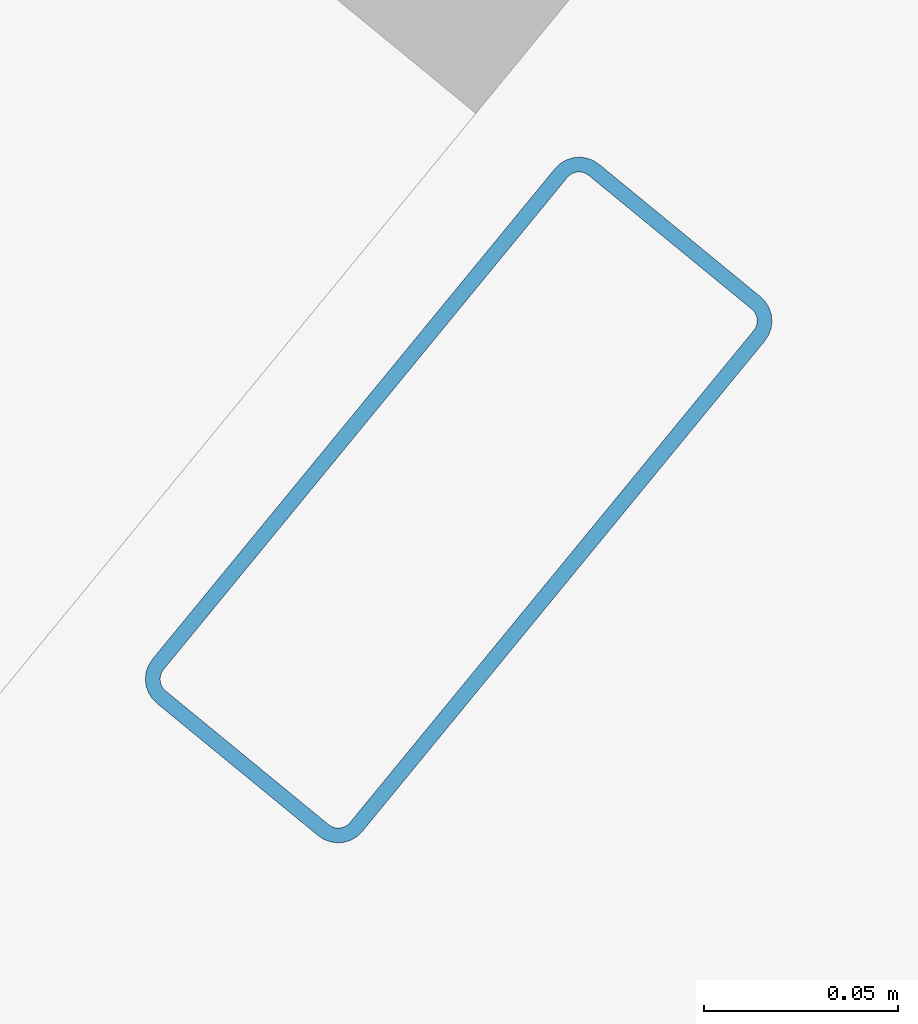
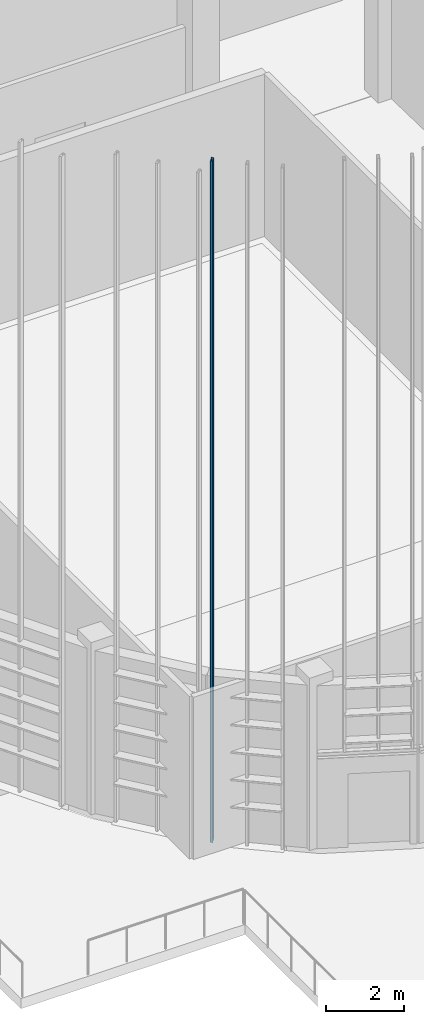
# One storey, part 181 of 372: 1 member.
"""IFC4 building model written with IfcOpenShell, lengths in metres."""

import ifcopenshell
import ifcopenshell.guid

model = None  # the IFC model being written
_history = None  # IfcOwnerHistory: only IFC2X3 demands one
_inside = {}  # id of a spatial element -> (the spatial element, [elements in it])
_under = {}  # id of a project, library or spatial element -> (it, [spatial elements below it])
_declared = {}  # id of a project -> (the project, [libraries it declares])
_typed = {}  # id of a type object -> (the type object, [elements of that type])
_made_of = {}  # id of a material, layer set ... -> (it, [elements and type objects made of it])


def new_model(schema):
    """Start an empty IFC model of exactly this schema.

    Asked for "IFC4X3", IfcOpenShell would pick the latest addendum, in which some entities
    have other attributes; the version numbers below select the first issue.
    IFC2X3 requires an IfcOwnerHistory on every rooted entity: one is made here for all.
    """
    global model, _history
    if schema == "IFC4X3":
        model = ifcopenshell.file(schema_version=(4, 3, 0, 0))
    else:
        model = ifcopenshell.file(schema=schema)
    _inside.clear()
    _under.clear()
    _declared.clear()
    _typed.clear()
    _made_of.clear()
    _history = None
    if model.schema == "IFC2X3":
        org = make("IfcOrganization", Name="unknown")
        user = make(
            "IfcPersonAndOrganization",
            ThePerson=make("IfcPerson", FamilyName="unknown"),
            TheOrganization=org,
        )
        app = make(
            "IfcApplication",
            ApplicationDeveloper=org,
            Version="unknown",
            ApplicationFullName="unknown",
            ApplicationIdentifier="unknown",
        )
        _history = make(
            "IfcOwnerHistory",
            OwningUser=user,
            OwningApplication=app,
            ChangeAction="ADDED",
            CreationDate=0,
        )
    return model


def make(cls, **values):
    """One entity of the class cls with the attributes given. An attribute that is None is left unset."""
    return model.create_entity(
        cls, **{name: value for name, value in values.items() if value is not None}
    )


def rooted(cls, **values):
    """An entity with a GlobalId (a new one), such as an element, a storey or a relation."""
    return make(cls, GlobalId=ifcopenshell.guid.new(), OwnerHistory=_history, **values)


def si_unit(unit_type, name, prefix=None):
    """IfcSIUnit, for example si_unit("LENGTHUNIT", "METRE", prefix="MILLI")."""
    return make("IfcSIUnit", UnitType=unit_type, Prefix=prefix, Name=name)


def assignment(units):
    """IfcUnitAssignment: the units of a project."""
    return None if units is None else make("IfcUnitAssignment", Units=units)


def point(xyz):
    """IfcCartesianPoint."""
    return None if xyz is None else make("IfcCartesianPoint", Coordinates=xyz)


def direction(xyz):
    """IfcDirection."""
    return None if xyz is None else make("IfcDirection", DirectionRatios=xyz)


def frame(location, z_axis=None, x_axis=None):
    """IfcAxis2Placement3D, a coordinate frame: its origin and axes. An axis left out is left unset."""
    return make(
        "IfcAxis2Placement3D",
        Location=point(location),
        Axis=direction(z_axis),
        RefDirection=direction(x_axis),
    )


def frame_2d(location, x_axis=None):
    """IfcAxis2Placement2D, a coordinate frame in the plane: its origin and x axis."""
    return make(
        "IfcAxis2Placement2D", Location=point(location), RefDirection=direction(x_axis)
    )


def origin():
    """The frame at (0, 0, 0) with its axes left unset."""
    return frame((0.0, 0.0, 0.0))


def origin_2d():
    """The frame at (0, 0) in the plane with its x axis left unset."""
    return frame_2d((0.0, 0.0))


def place(relative_to, where):
    """IfcLocalPlacement: puts the frame where relative to a parent placement (None: the world)."""
    return make(
        "IfcLocalPlacement", PlacementRelTo=relative_to, RelativePlacement=where
    )


def context(
    kind, dimensions, precision=None, world=None, true_north=None, identifier=None
):
    """IfcGeometricRepresentationContext, for example the 3D "Model" context."""
    return make(
        "IfcGeometricRepresentationContext",
        ContextIdentifier=identifier,
        ContextType=kind,
        CoordinateSpaceDimension=dimensions,
        Precision=precision,
        WorldCoordinateSystem=world,
        TrueNorth=true_north,
    )


def subcontext(parent, identifier, kind, view, scale=None):
    """IfcGeometricRepresentationSubContext, for example "Body" below "Model"."""
    return make(
        "IfcGeometricRepresentationSubContext",
        ContextIdentifier=identifier,
        ContextType=kind,
        ParentContext=parent,
        TargetScale=scale,
        TargetView=view,
    )


def project(units=None, contexts=None):
    """IfcProject with its units and contexts."""
    return rooted(
        "IfcProject",
        Name="project",
        RepresentationContexts=contexts,
        UnitsInContext=assignment(units),
    )


def spatial(cls, under=None, at=None, **own):
    """A site, building, storey or space (cls), placed at a placement, below another one or the project."""
    s = rooted(cls, ObjectPlacement=at, **own)
    if under is not None:
        _under.setdefault(under.id(), (under, []))[1].append(s)
    return s


def profile(cls, at=None, kind="AREA", **sizes):
    """A parametric profile (cls). Its sizes go by their IFC names, for example OverallWidth=200.0."""
    return make(cls, ProfileType=kind, Position=at, **sizes)


def hollow_rectangle(**sizes):
    """IfcRectangleHollowProfileDef."""
    return profile("IfcRectangleHollowProfileDef", **sizes)


def extrude(swept, where, along, depth):
    """IfcExtrudedAreaSolid: the profile swept, set in the frame where, extruded along a direction by depth."""
    return make(
        "IfcExtrudedAreaSolid",
        SweptArea=swept,
        Position=where,
        ExtrudedDirection=direction(along),
        Depth=depth,
    )


def shape(context_of_items, identifier, shape_type, items):
    """IfcShapeRepresentation: the items that make up one representation, for example the "Body"."""
    return make(
        "IfcShapeRepresentation",
        ContextOfItems=context_of_items,
        RepresentationIdentifier=identifier,
        RepresentationType=shape_type,
        Items=items,
    )


def material(Name=None, Category=None):
    """IfcMaterial."""
    return make("IfcMaterial", Name=Name, Category=Category)


def material_profile(
    of_material, cross_section, Name=None, Category=None, Priority=None
):
    """IfcMaterialProfile: a cross section and its material."""
    return make(
        "IfcMaterialProfile",
        Name=Name,
        Material=of_material,
        Profile=cross_section,
        Priority=Priority,
        Category=Category,
    )


def profile_set(profiles, Name=None, composite=None):
    """IfcMaterialProfileSet."""
    return make(
        "IfcMaterialProfileSet",
        Name=Name,
        MaterialProfiles=profiles,
        CompositeProfile=composite,
    )


def made_of(thing, what):
    """Note that an element or type object is made of a material, layer set ...; save() writes the relation."""
    if what is not None:
        _made_of.setdefault(what.id(), (what, []))[1].append(thing)
    return thing


def type_object(cls, material=None, **own):
    """A type object (cls), such as IfcWallType, which elements share."""
    return made_of(rooted(cls, **own), material)


def element(
    cls,
    number,
    at=None,
    inside=None,
    cuts=None,
    type_object=None,
    material=None,
    context=None,
    identifier="Body",
    shape_type=None,
    held_by="IfcProductDefinitionShape",
    body=None,
    shapes=None,
    **own,
):
    """One element of the class cls, such as IfcWall. Its Tag is "e" and its number.

    at: its placement. inside: the storey or other place that contains it. cuts: it is an
    opening in that element (IfcRelVoidsElement). A single representation is given by context,
    identifier, shape_type and body (its items); several are given by shapes. held_by: the class
    of the entity that holds the representations. save() writes the other relations.
    """
    e = rooted(cls, Tag="e%d" % number, ObjectPlacement=at, **own)
    if body is not None:
        shapes = [shape(context, identifier, shape_type, body)]
    if shapes is not None:
        e.Representation = make(held_by, Representations=shapes)
    if inside is not None:
        _inside.setdefault(inside.id(), (inside, []))[1].append(e)
    if cuts is not None:
        rooted(
            "IfcRelVoidsElement", RelatingBuildingElement=cuts, RelatedOpeningElement=e
        )
    if type_object is not None:
        _typed.setdefault(type_object.id(), (type_object, []))[1].append(e)
    return made_of(e, material)


def aggregate(whole, parts):
    """IfcRelAggregates: a whole, such as a stair, and the parts it consists of."""
    return rooted("IfcRelAggregates", RelatingObject=whole, RelatedObjects=parts)


def save(model, path):
    """Write the relations noted so far, then the file.

    IfcRelAggregates (storeys below a building ...), IfcRelContainedInSpatialStructure (elements
    in a storey), IfcRelDefinesByType, IfcRelAssociatesMaterial and IfcRelDeclares: one each for
    every whole, place, type object, material and project.
    """
    for whole, parts in _under.values():
        aggregate(whole, parts)
    for where, things in _inside.values():
        rooted(
            "IfcRelContainedInSpatialStructure",
            RelatedElements=things,
            RelatingStructure=where,
        )
    for kind, things in _typed.values():
        rooted("IfcRelDefinesByType", RelatedObjects=things, RelatingType=kind)
    for what, things in _made_of.values():
        rooted("IfcRelAssociatesMaterial", RelatedObjects=things, RelatingMaterial=what)
    for by, libraries in _declared.values():
        rooted("IfcRelDeclares", RelatingContext=by, RelatedDefinitions=libraries)
    model.write(path)


model = new_model("IFC4")

# Units and contexts
model_context = context("Model", 3, precision=1e-05, world=origin(), true_north=direction((0.0, 1.0)))
body_context = subcontext(model_context, "Body", "Model", "MODEL_VIEW")
ifc_project = project(units=[si_unit("LENGTHUNIT", "METRE"), si_unit("AREAUNIT", "SQUARE_METRE"), si_unit("VOLUMEUNIT", "CUBIC_METRE"), si_unit("PLANEANGLEUNIT", "RADIAN"), si_unit("MASSUNIT", "GRAM", prefix="KILO")], contexts=[model_context])

# Site, building, storey
site_placement = place(None, origin())
site = spatial("IfcSite", under=ifc_project, at=site_placement, CompositionType="ELEMENT")
building_placement = place(site_placement, origin())
building = spatial("IfcBuilding", under=site, at=building_placement, Name="Kaelora Sail Theatre", CompositionType="ELEMENT")
storey_placement = place(building_placement, origin())
storey = spatial("IfcBuildingStorey", under=building, at=storey_placement, Name="L00", CompositionType="ELEMENT", Elevation=0.0)

# Member
ifc_material = material(Name="Anodised aluminium 6063-T6", Category="aluminium")
ifc_material_profile = material_profile(ifc_material, hollow_rectangle(XDim=0.070068359375, YDim=0.179931640625, WallThickness=0.00390625, InnerFilletRadius=0.00390625, OuterFilletRadius=0.008056640625, at=origin_2d()), Name="ALU-MULL 70x180x4")
ifc_profile_set = profile_set([ifc_material_profile], Name="Anodised aluminium 6063-T6")
member_type = type_object("IfcMemberType", Name="ARC-MEM-PST-160", PredefinedType="POST", material=ifc_profile_set)
member_placement = place(storey_placement, frame((83.631591796875, 34.21337890625, 0.0), z_axis=(0.0, 0.0, 1.0), x_axis=(-0.773065811677, 0.63432582386, 0.0)))
element("IfcMember", 1, at=member_placement, inside=storey, type_object=member_type, Name="Studio Theatre Sail Drum solar louvre vertical support post C13-3", PredefinedType="POST", context=body_context, shape_type="SweptSolid", body=[
    extrude(hollow_rectangle(XDim=0.070068359375, YDim=0.179931640625, WallThickness=0.00390625, InnerFilletRadius=0.00390625, OuterFilletRadius=0.008056640625, at=origin_2d()), origin(), (0.0, 0.0, 1.0), 21.35986328125),
])

save(model, "model.ifc")
